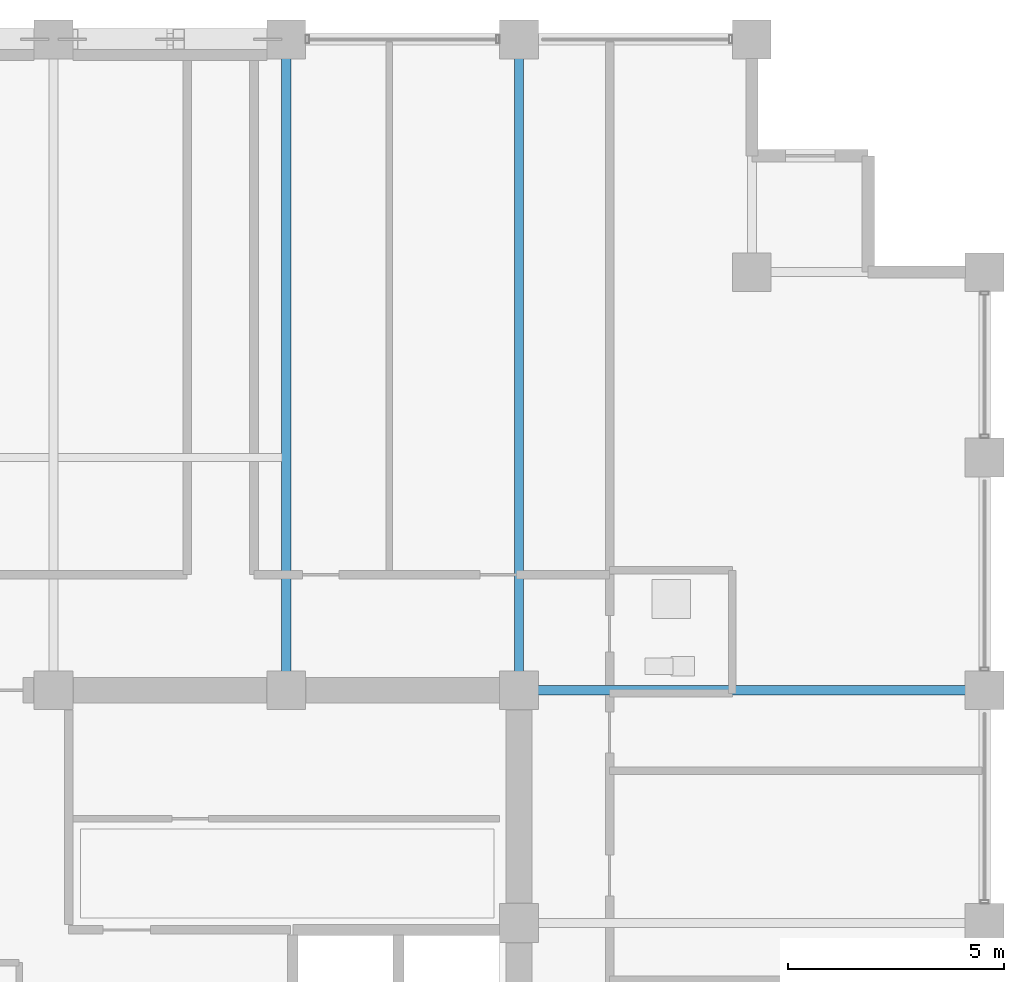
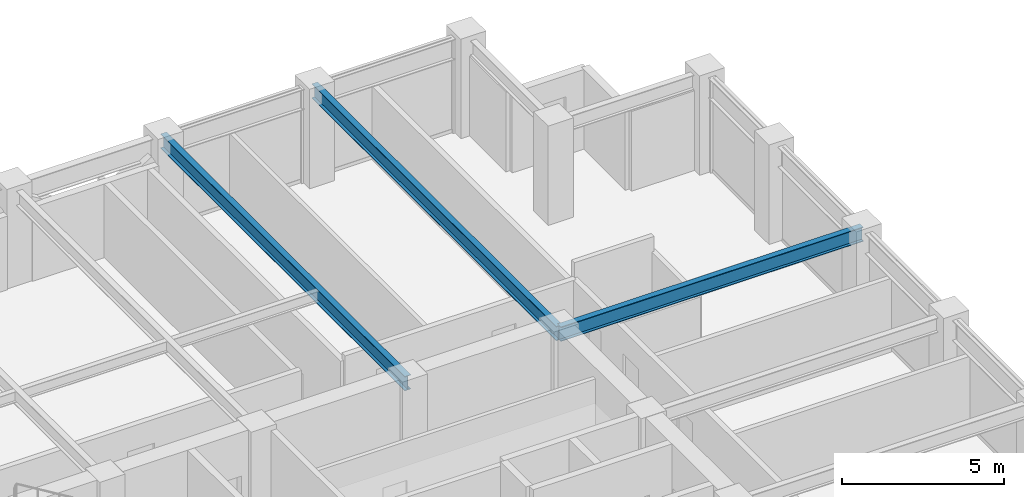
# One storey, part 22 of 32: 3 beams.
"""IFC4 building model written with IfcOpenShell, lengths in metres."""

from ifc_helpers import new_model, si_unit, direction, frame, origin, origin_2d, place, context, subcontext, project, spatial, i_section, extrude, material, material_profile, profile_set, type_object, element, save


model = new_model("IFC4")

# Units and contexts
model_context = context("Model", 3, precision=1e-05, world=origin(), true_north=direction((0.0, 1.0)))
body_context = subcontext(model_context, "Body", "Model", "MODEL_VIEW")
ifc_project = project(units=[si_unit("LENGTHUNIT", "METRE"), si_unit("AREAUNIT", "SQUARE_METRE"), si_unit("VOLUMEUNIT", "CUBIC_METRE"), si_unit("PLANEANGLEUNIT", "RADIAN"), si_unit("MASSUNIT", "GRAM", prefix="KILO")], contexts=[model_context])

# Site, building, storey
site_placement = place(None, origin())
site = spatial("IfcSite", under=ifc_project, at=site_placement, CompositionType="ELEMENT")
building_placement = place(site_placement, origin())
building = spatial("IfcBuilding", under=site, at=building_placement, Name="Surkhivell Harbour Commons", CompositionType="ELEMENT")
storey_placement = place(building_placement, frame((0.0, 0.0, 197.25)))
storey = spatial("IfcBuildingStorey", under=building, at=storey_placement, Name="L51", CompositionType="ELEMENT", Elevation=197.25)

# Beams
ifc_material = material(Name="Steel S355", Category="steel")
ifc_material_profile = material_profile(ifc_material, i_section(OverallWidth=0.2119140625, OverallDepth=0.5439453125, WebThickness=0.0126953125, FlangeThickness=0.021240234375, at=origin_2d()), Name="UB533x210x122")
ifc_profile_set = profile_set([ifc_material_profile], Name="Steel S355")
beam_type = type_object("IfcBeamType", Name="BM-GRD-533A", PredefinedType="BEAM", material=ifc_profile_set)
for number, where, z_axis, x_axis, name in (
    (1, (5.39990234375, 10.800048828125, 3.298095703125), (0.0, 1.0, 0.0), (-1.0, 0.0, 0.0), "L51 Floor Girder (5.4,10.8)"),
    (2, (10.800048828125, 10.800048828125, 3.298095703125), (0.0, 1.0, 0.0), (-1.0, 0.0, 0.0), "L51 Floor Girder (10.8,10.8)"),
):
    element("IfcBeam", number, at=place(storey_placement, frame(where, z_axis=z_axis, x_axis=x_axis)), inside=storey, type_object=beam_type, Name=name, PredefinedType="BEAM", context=body_context, shape_type="SweptSolid", body=[
        extrude(i_section(OverallWidth=0.2119140625, OverallDepth=0.5439453125, WebThickness=0.0126953125, FlangeThickness=0.021240234375, at=origin_2d()), origin(), (0.0, 0.0, 1.0), 15.099853515625),
    ])
beam_placement = place(storey_placement, frame((10.800048828125, 10.800048828125, 3.298095703125), z_axis=(1.0, 0.0, 0.0), x_axis=(0.0, 1.0, 0.0)))
element("IfcBeam", 3, at=beam_placement, inside=storey, type_object=beam_type, Name="L51 Floor Girder (10.8,10.8)", PredefinedType="BEAM", context=body_context, shape_type="SweptSolid", body=[
    extrude(i_section(OverallWidth=0.2119140625, OverallDepth=0.5439453125, WebThickness=0.0126953125, FlangeThickness=0.021240234375, at=origin_2d()), origin(), (0.0, 0.0, 1.0), 10.800048828125),
])

save(model, "model.ifc")
